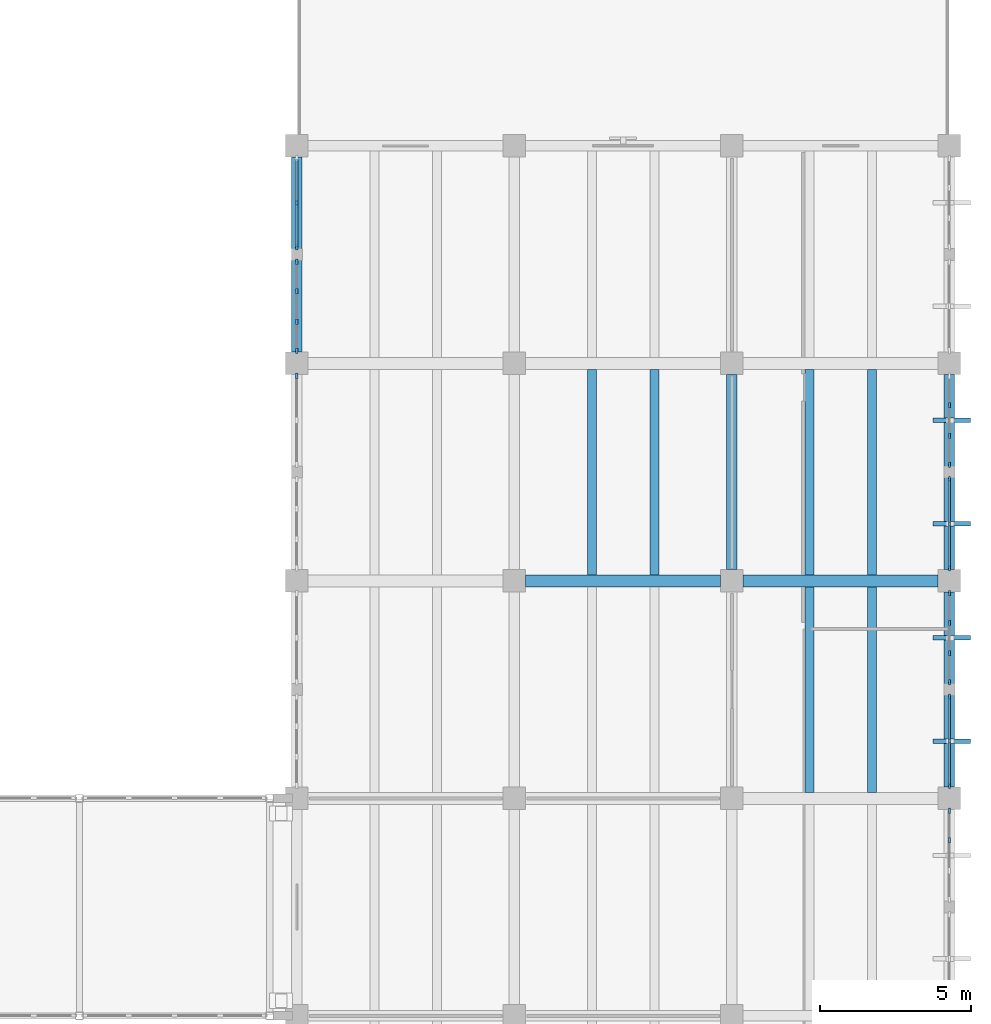
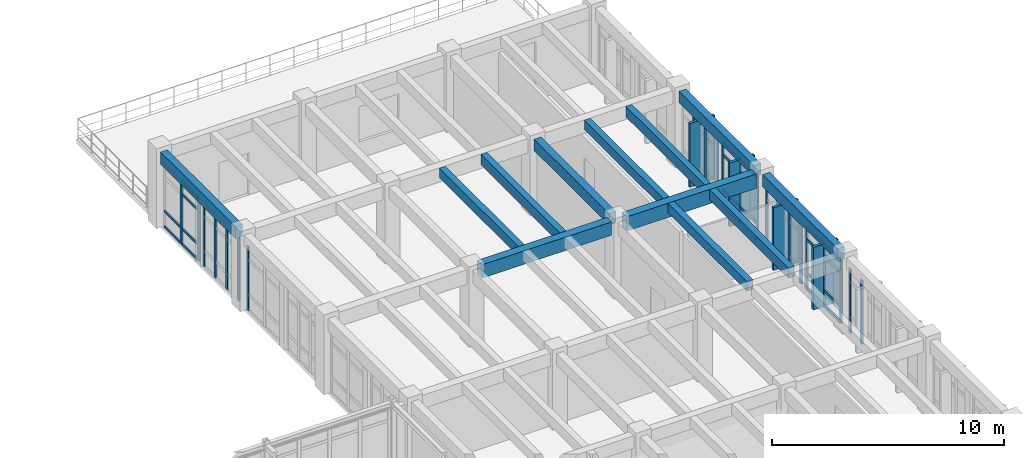
# One storey, part 63 of 136: 48 members, 12 beams, 8 elements without a shape of their own.
"""IFC4 building model written with IfcOpenShell, lengths in metres."""

from ifc_helpers import new_model, si_unit, direction, frame, origin, origin_2d, place, context, subcontext, project, spatial, rectangle, extrude, material, layer, layer_set, material_profile, profile_set, type_object, element, aggregate, save


model = new_model("IFC4")

# Units and contexts
model_context = context("Model", 3, precision=1e-05, world=origin(), true_north=direction((0.0, 1.0)))
body_context = subcontext(model_context, "Body", "Model", "MODEL_VIEW")
ifc_project = project(units=[si_unit("LENGTHUNIT", "METRE"), si_unit("AREAUNIT", "SQUARE_METRE"), si_unit("VOLUMEUNIT", "CUBIC_METRE"), si_unit("PLANEANGLEUNIT", "RADIAN"), si_unit("MASSUNIT", "GRAM", prefix="KILO")], contexts=[model_context])

# Site, building, storey
site_placement = place(None, origin())
site = spatial("IfcSite", under=ifc_project, at=site_placement, CompositionType="ELEMENT")
building_placement = place(site_placement, origin())
building = spatial("IfcBuilding", under=site, at=building_placement, Name="Koriwan Promenade Central Fire Station", CompositionType="ELEMENT")
storey_placement = place(building_placement, frame((0.0, 0.0, 5.39990234375)))
storey = spatial("IfcBuildingStorey", under=building, at=storey_placement, Name="L01", CompositionType="ELEMENT", Elevation=5.39990234375)

# Beams
ifc_material_1 = material(Name="Concrete C35/45", Category="concrete")
ifc_material_profile_1 = material_profile(ifc_material_1, rectangle(XDim=0.300048828125, YDim=0.5, at=origin_2d()), Name="RC-BM-300x500")
ifc_profile_set_1 = profile_set([ifc_material_profile_1], Name="Concrete C35/45")
beam_type_1 = type_object("IfcBeamType", Name="Beam_RC-BM-300x500", PredefinedType="JOIST", material=ifc_profile_set_1)
beam_1_placement = place(storey_placement, frame((168.16796875, 50.60009765625, 3.7001953125), z_axis=(0.0, 1.0, 0.0), x_axis=(-1.0, 0.0, 0.0)))
element("IfcBeam", 1, at=beam_1_placement, inside=storey, type_object=beam_type_1, Name="V5 L01 secondary joist 741", PredefinedType="JOIST", context=body_context, shape_type="SweptSolid", body=[
    extrude(rectangle(XDim=0.300048828125, YDim=0.5, at=origin_2d()), origin(), (0.0, 0.0, 1.0), 6.7998046875),
])
for number, where, z_axis, x_axis, name in (
    (2, (160.968017578125, 57.800048828125, 3.7001953125), (0.0, 1.0, 0.0), (-1.0, 0.0, 0.0), "V5 L01 secondary joist 745"),
    (3, (168.16796875, 57.800048828125, 3.7001953125), (0.0, 1.0, 0.0), (-1.0, 0.0, 0.0), "V5 L01 secondary joist 747"),
):
    element("IfcBeam", number, at=place(storey_placement, frame(where, z_axis=z_axis, x_axis=x_axis)), inside=storey, type_object=beam_type_1, Name=name, PredefinedType="JOIST", context=body_context, shape_type="SweptSolid", body=[
        extrude(rectangle(XDim=0.300048828125, YDim=0.5, at=origin_2d()), origin(), (0.0, 0.0, 1.0), 6.800048828125),
    ])
ifc_material_profile_2 = material_profile(ifc_material_1, rectangle(XDim=0.300048828125, YDim=0.550048828125, at=origin_2d()), Name="RC-BM-300x550")
ifc_profile_set_2 = profile_set([ifc_material_profile_2], Name="Concrete C35/45")
beam_type_2 = type_object("IfcBeamType", Name="Beam_RC-BM-300x550", PredefinedType="JOIST", material=ifc_profile_set_2)
beam_2_placement = place(storey_placement, frame((170.23193359375, 50.60009765625, 3.675048828125), z_axis=(0.0, 1.0, 0.0), x_axis=(-1.0, 0.0, 0.0)))
element("IfcBeam", 4, at=beam_2_placement, inside=storey, type_object=beam_type_2, Name="V5 L01 secondary joist 742", PredefinedType="JOIST", context=body_context, shape_type="SweptSolid", body=[
    extrude(rectangle(XDim=0.300048828125, YDim=0.550048828125, at=origin_2d()), origin(), (0.0, 0.0, 1.0), 6.7998046875),
])
for number, where, z_axis, x_axis, name in (
    (5, (163.031982421875, 57.800048828125, 3.675048828125), (0.0, 1.0, 0.0), (-1.0, 0.0, 0.0), "V5 L01 secondary joist 746"),
    (6, (170.23193359375, 57.800048828125, 3.675048828125), (0.0, 1.0, 0.0), (-1.0, 0.0, 0.0), "V5 L01 secondary joist 748"),
):
    element("IfcBeam", number, at=place(storey_placement, frame(where, z_axis=z_axis, x_axis=x_axis)), inside=storey, type_object=beam_type_2, Name=name, PredefinedType="JOIST", context=body_context, shape_type="SweptSolid", body=[
        extrude(rectangle(XDim=0.300048828125, YDim=0.550048828125, at=origin_2d()), origin(), (0.0, 0.0, 1.0), 6.800048828125),
    ])
ifc_material_profile_3 = material_profile(ifc_material_1, rectangle(XDim=0.35009765625, YDim=0.60009765625, at=origin_2d()), Name="RC-BM-350x600")
ifc_profile_set_3 = profile_set([ifc_material_profile_3], Name="Concrete C35/45")
beam_type_3 = type_object("IfcBeamType", Name="Beam_RC-BM-350x600", PredefinedType="BEAM", material=ifc_profile_set_3)
for number, where, z_axis, x_axis, name in (
    (7, (165.60009765625, 57.97509765625, 3.66015625), (0.0, 1.0, 0.0), (-1.0, 0.0, 0.0), "V5 L01 girder Y-688"),
    (8, (172.800048828125, 57.97509765625, 3.66015625), (0.0, 1.0, 0.0), (-1.0, 0.0, 0.0), "V5 L01 girder Y-698"),
):
    element("IfcBeam", number, at=place(storey_placement, frame(where, z_axis=z_axis, x_axis=x_axis)), inside=storey, type_object=beam_type_3, Name=name, PredefinedType="BEAM", context=body_context, shape_type="SweptSolid", body=[
        extrude(rectangle(XDim=0.35009765625, YDim=0.60009765625, at=origin_2d()), origin(), (0.0, 0.0, 1.0), 6.449951171875),
    ])
ifc_material_profile_4 = material_profile(ifc_material_1, rectangle(XDim=0.35009765625, YDim=0.64990234375, at=origin_2d()), Name="RC-BM-350x650")
ifc_profile_set_4 = profile_set([ifc_material_profile_4], Name="Concrete C35/45")
beam_type_4 = type_object("IfcBeamType", Name="Beam_RC-BM-350x650", PredefinedType="BEAM", material=ifc_profile_set_4)
beam_3_placement = place(storey_placement, frame((151.199951171875, 65.175048828125, 3.635009765625), z_axis=(0.0, 1.0, 0.0), x_axis=(-1.0, 0.0, 0.0)))
element("IfcBeam", 9, at=beam_3_placement, inside=storey, type_object=beam_type_4, Name="V5 L01 girder Y-669", PredefinedType="BEAM", context=body_context, shape_type="SweptSolid", body=[
    extrude(rectangle(XDim=0.35009765625, YDim=0.64990234375, at=origin_2d()), origin(), (0.0, 0.0, 1.0), 6.449951171875),
])
beam_4_placement = place(storey_placement, frame((172.800048828125, 50.77490234375, 3.625), z_axis=(0.0, 1.0, 0.0), x_axis=(-1.0, 0.0, 0.0)))
element("IfcBeam", 10, at=beam_4_placement, inside=storey, type_object=beam_type_4, Name="V5 L01 girder Y-697", PredefinedType="BEAM", context=body_context, shape_type="SweptSolid", body=[
    extrude(rectangle(XDim=0.35009765625, YDim=0.64990234375, at=origin_2d()), origin(), (0.0, 0.0, 1.0), 6.4501953125),
])
ifc_material_profile_5 = material_profile(ifc_material_1, rectangle(XDim=0.39990234375, YDim=0.699951171875, at=origin_2d()), Name="RC-BM-400x700")
ifc_profile_set_5 = profile_set([ifc_material_profile_5], Name="Concrete C35/45")
beam_type_5 = type_object("IfcBeamType", Name="Beam_RC-BM-400x700", PredefinedType="BEAM", material=ifc_profile_set_5)
beam_5_placement = place(storey_placement, frame((158.77490234375, 57.60009765625, 3.60009765625), z_axis=(1.0, 0.0, 0.0), x_axis=(0.0, 1.0, 0.0)))
element("IfcBeam", 11, at=beam_5_placement, inside=storey, type_object=beam_type_5, Name="V5 L01 girder X-650", PredefinedType="BEAM", context=body_context, shape_type="SweptSolid", body=[
    extrude(rectangle(XDim=0.39990234375, YDim=0.699951171875, at=origin_2d()), origin(), (0.0, 0.0, 1.0), 6.4501953125),
])
ifc_material_profile_6 = material_profile(ifc_material_1, rectangle(XDim=0.39990234375, YDim=0.75, at=origin_2d()), Name="RC-BM-400x750")
ifc_profile_set_6 = profile_set([ifc_material_profile_6], Name="Concrete C35/45")
beam_type_6 = type_object("IfcBeamType", Name="Beam_RC-BM-400x750", PredefinedType="BEAM", material=ifc_profile_set_6)
beam_6_placement = place(storey_placement, frame((165.97509765625, 57.60009765625, 3.5751953125), z_axis=(1.0, 0.0, 0.0), x_axis=(0.0, 1.0, 0.0)))
element("IfcBeam", 12, at=beam_6_placement, inside=storey, type_object=beam_type_6, Name="V5 L01 girder X-651", PredefinedType="BEAM", context=body_context, shape_type="SweptSolid", body=[
    extrude(rectangle(XDim=0.39990234375, YDim=0.75, at=origin_2d()), origin(), (0.0, 0.0, 1.0), 6.449951171875),
])

# Curtain wall, member
ifc_material_2 = material(Name="Aluminium EN AW-6063-T6 and low-E glazing", Category="aluminium")
ifc_layer_1 = layer(ifc_material_2, 0.159912109375, Name="Aluminium EN AW-6063-T6 and low-E glazing")
ifc_layer_set_1 = layer_set([ifc_layer_1], Name="Aluminium EN AW-6063-T6 and low-E glazing")
curtain_wall_type_1 = type_object("IfcCurtainWallType", Name="CurtainWall_70_302x335", PredefinedType="USERDEFINED", material=ifc_layer_set_1)
curtain_wall_1_placement = place(storey_placement, origin())
curtain_wall_1 = element("IfcCurtainWall", 13, at=curtain_wall_1_placement, inside=storey, type_object=curtain_wall_type_1, Name="V5 L01 unitised curtain wall 186", ObjectType="UNITISED CURTAIN WALL", PredefinedType="USERDEFINED")
ifc_material_3 = material(Name="Aluminium EN AW-6063-T6", Category="aluminium")
ifc_material_profile_7 = material_profile(ifc_material_3, rectangle(XDim=0.074951171875, YDim=0.179931640625, at=origin_2d()), Name="ALU-MUL-75x180")
ifc_profile_set_7 = profile_set([ifc_material_profile_7], Name="Aluminium EN AW-6063-T6")
member_type_1 = type_object("IfcMemberType", Name="CWMullion_ALU-MUL-75x180", PredefinedType="MULLION", material=ifc_profile_set_7)
member_1_placement = place(storey_placement, frame((151.199951171875, 64.387451171875, 0.0), z_axis=(0.0, 0.0, 1.0), x_axis=(-1.0, 0.0, 0.0)))
member_1 = element("IfcMember", 14, at=member_1_placement, type_object=member_type_1, Name="CW-70 mullion 3", PredefinedType="MULLION", context=body_context, shape_type="SweptSolid", body=[
    extrude(rectangle(XDim=0.074951171875, YDim=0.179931640625, at=origin_2d()), origin(), (0.0, 0.0, 1.0), 3.35009765625),
])
aggregate(curtain_wall_1, [member_1])

# Curtain wall, members
ifc_layer_2 = layer(ifc_material_2, 0.159912109375, Name="Aluminium EN AW-6063-T6 and low-E glazing")
ifc_layer_set_2 = layer_set([ifc_layer_2], Name="Aluminium EN AW-6063-T6 and low-E glazing")
curtain_wall_type_2 = type_object("IfcCurtainWallType", Name="CurtainWall_71_303x330", PredefinedType="USERDEFINED", material=ifc_layer_set_2)
curtain_wall_2_placement = place(storey_placement, origin())
curtain_wall_2 = element("IfcCurtainWall", 15, at=curtain_wall_2_placement, inside=storey, type_object=curtain_wall_type_2, Name="V5 L01 unitised curtain wall 187", ObjectType="UNITISED CURTAIN WALL", PredefinedType="USERDEFINED")
member_2_placement = place(storey_placement, frame((151.199951171875, 65.21240234375, 0.0), z_axis=(0.0, 0.0, 1.0), x_axis=(-1.0, 0.0, 0.0)))
member_2 = element("IfcMember", 16, at=member_2_placement, type_object=member_type_1, Name="CW-71 mullion 1", PredefinedType="MULLION", context=body_context, shape_type="SweptSolid", body=[
    extrude(rectangle(XDim=0.074951171875, YDim=0.179931640625, at=origin_2d()), origin(), (0.0, 0.0, 1.0), 3.300048828125),
])
member_3_placement = place(storey_placement, frame((151.199951171875, 66.183349609375, 0.0), z_axis=(0.0, 0.0, 1.0), x_axis=(-1.0, 0.0, 0.0)))
member_3 = element("IfcMember", 17, at=member_3_placement, type_object=member_type_1, Name="CW-71 mullion 2", PredefinedType="MULLION", context=body_context, shape_type="SweptSolid", body=[
    extrude(rectangle(XDim=0.074951171875, YDim=0.179931640625, at=origin_2d()), origin(), (0.0, 0.0, 1.0), 3.300048828125),
])
member_4_placement = place(storey_placement, frame((151.199951171875, 67.191650390625, 0.0), z_axis=(0.0, 0.0, 1.0), x_axis=(-1.0, 0.0, 0.0)))
member_4 = element("IfcMember", 18, at=member_4_placement, type_object=member_type_1, Name="CW-71 mullion 3", PredefinedType="MULLION", context=body_context, shape_type="SweptSolid", body=[
    extrude(rectangle(XDim=0.074951171875, YDim=0.179931640625, at=origin_2d()), origin(), (0.0, 0.0, 1.0), 3.300048828125),
])
member_5_placement = place(storey_placement, frame((151.199951171875, 68.16259765625, 0.0), z_axis=(0.0, 0.0, 1.0), x_axis=(-1.0, 0.0, 0.0)))
member_5 = element("IfcMember", 19, at=member_5_placement, type_object=member_type_1, Name="CW-71 mullion 4", PredefinedType="MULLION", context=body_context, shape_type="SweptSolid", body=[
    extrude(rectangle(XDim=0.074951171875, YDim=0.179931640625, at=origin_2d()), origin(), (0.0, 0.0, 1.0), 3.300048828125),
])
aggregate(curtain_wall_2, [member_2, member_3, member_4, member_5])

ifc_layer_3 = layer(ifc_material_2, 0.159912109375, Name="Aluminium EN AW-6063-T6 and low-E glazing")
ifc_layer_set_3 = layer_set([ifc_layer_3], Name="Aluminium EN AW-6063-T6 and low-E glazing")
curtain_wall_type_3 = type_object("IfcCurtainWallType", Name="CurtainWall_72_303x330", PredefinedType="USERDEFINED", material=ifc_layer_set_3)
curtain_wall_3_placement = place(storey_placement, origin())
curtain_wall_3 = element("IfcCurtainWall", 20, at=curtain_wall_3_placement, inside=storey, type_object=curtain_wall_type_3, Name="V5 L01 unitised curtain wall 188", ObjectType="UNITISED CURTAIN WALL", PredefinedType="USERDEFINED")
member_6_placement = place(storey_placement, frame((151.199951171875, 68.637451171875, 0.0), z_axis=(0.0, 0.0, 1.0), x_axis=(-1.0, 0.0, 0.0)))
member_6 = element("IfcMember", 21, at=member_6_placement, type_object=member_type_1, Name="CW-72 mullion 1", PredefinedType="MULLION", context=body_context, shape_type="SweptSolid", body=[
    extrude(rectangle(XDim=0.074951171875, YDim=0.179931640625, at=origin_2d()), origin(), (0.0, 0.0, 1.0), 3.300048828125),
])
member_7_placement = place(storey_placement, frame((151.199951171875, 70.112548828125, 0.0), z_axis=(0.0, 0.0, 1.0), x_axis=(-1.0, 0.0, 0.0)))
member_7 = element("IfcMember", 22, at=member_7_placement, type_object=member_type_1, Name="CW-72 mullion 2", PredefinedType="MULLION", context=body_context, shape_type="SweptSolid", body=[
    extrude(rectangle(XDim=0.074951171875, YDim=0.179931640625, at=origin_2d()), origin(), (0.0, 0.0, 1.0), 3.300048828125),
])

ifc_layer_4 = layer(ifc_material_2, 0.159912109375, Name="Aluminium EN AW-6063-T6 and low-E glazing")
ifc_layer_set_4 = layer_set([ifc_layer_4], Name="Aluminium EN AW-6063-T6 and low-E glazing")
curtain_wall_type_4 = type_object("IfcCurtainWallType", Name="CurtainWall_69_302x335", PredefinedType="USERDEFINED", material=ifc_layer_set_4)
curtain_wall_4_placement = place(storey_placement, origin())
curtain_wall_4 = element("IfcCurtainWall", 23, at=curtain_wall_4_placement, inside=storey, type_object=curtain_wall_type_4, Name="V5 L01 unitised curtain wall 191", ObjectType="UNITISED CURTAIN WALL", PredefinedType="USERDEFINED")
member_8_placement = place(storey_placement, frame((172.800048828125, 63.416748046875, 0.0), z_axis=(0.0, 0.0, 1.0), x_axis=(1.0, 0.0, 0.0)))
member_8 = element("IfcMember", 24, at=member_8_placement, type_object=member_type_1, Name="CW-69 mullion 2", PredefinedType="MULLION", context=body_context, shape_type="SweptSolid", body=[
    extrude(rectangle(XDim=0.074951171875, YDim=0.179931640625, at=origin_2d()), origin(), (0.0, 0.0, 1.0), 3.35009765625),
])
member_9_placement = place(storey_placement, frame((172.800048828125, 62.408447265625, 0.0), z_axis=(0.0, 0.0, 1.0), x_axis=(1.0, 0.0, 0.0)))
member_9 = element("IfcMember", 25, at=member_9_placement, type_object=member_type_1, Name="CW-69 mullion 3", PredefinedType="MULLION", context=body_context, shape_type="SweptSolid", body=[
    extrude(rectangle(XDim=0.074951171875, YDim=0.179931640625, at=origin_2d()), origin(), (0.0, 0.0, 1.0), 3.35009765625),
])
member_10_placement = place(storey_placement, frame((172.800048828125, 61.4375, 0.0), z_axis=(0.0, 0.0, 1.0), x_axis=(1.0, 0.0, 0.0)))
member_10 = element("IfcMember", 26, at=member_10_placement, type_object=member_type_1, Name="CW-69 mullion 4", PredefinedType="MULLION", context=body_context, shape_type="SweptSolid", body=[
    extrude(rectangle(XDim=0.074951171875, YDim=0.179931640625, at=origin_2d()), origin(), (0.0, 0.0, 1.0), 3.35009765625),
])
aggregate(curtain_wall_4, [member_8, member_9, member_10])

curtain_wall_5_placement = place(storey_placement, origin())
curtain_wall_5 = element("IfcCurtainWall", 27, at=curtain_wall_5_placement, inside=storey, type_object=curtain_wall_type_1, Name="V5 L01 unitised curtain wall 192", ObjectType="UNITISED CURTAIN WALL", PredefinedType="USERDEFINED")
member_11_placement = place(storey_placement, frame((172.800048828125, 60.96240234375, 0.0), z_axis=(0.0, 0.0, 1.0), x_axis=(1.0, 0.0, 0.0)))
member_11 = element("IfcMember", 28, at=member_11_placement, type_object=member_type_1, Name="CW-70 mullion 1", PredefinedType="MULLION", context=body_context, shape_type="SweptSolid", body=[
    extrude(rectangle(XDim=0.074951171875, YDim=0.179931640625, at=origin_2d()), origin(), (0.0, 0.0, 1.0), 3.35009765625),
])
member_12_placement = place(storey_placement, frame((172.800048828125, 59.487548828125, 0.0), z_axis=(0.0, 0.0, 1.0), x_axis=(1.0, 0.0, 0.0)))
member_12 = element("IfcMember", 29, at=member_12_placement, type_object=member_type_1, Name="CW-70 mullion 2", PredefinedType="MULLION", context=body_context, shape_type="SweptSolid", body=[
    extrude(rectangle(XDim=0.074951171875, YDim=0.179931640625, at=origin_2d()), origin(), (0.0, 0.0, 1.0), 3.35009765625),
])
member_13_placement = place(storey_placement, frame((172.800048828125, 58.012451171875, 0.0), z_axis=(0.0, 0.0, 1.0), x_axis=(1.0, 0.0, 0.0)))
member_13 = element("IfcMember", 30, at=member_13_placement, type_object=member_type_1, Name="CW-70 mullion 3", PredefinedType="MULLION", context=body_context, shape_type="SweptSolid", body=[
    extrude(rectangle(XDim=0.074951171875, YDim=0.179931640625, at=origin_2d()), origin(), (0.0, 0.0, 1.0), 3.35009765625),
])

ifc_layer_5 = layer(ifc_material_2, 0.159912109375, Name="Aluminium EN AW-6063-T6 and low-E glazing")
ifc_layer_set_5 = layer_set([ifc_layer_5], Name="Aluminium EN AW-6063-T6 and low-E glazing")
curtain_wall_type_5 = type_object("IfcCurtainWallType", Name="CurtainWall_62_302x329", PredefinedType="USERDEFINED", material=ifc_layer_set_5)
curtain_wall_6_placement = place(storey_placement, origin())
curtain_wall_6 = element("IfcCurtainWall", 31, at=curtain_wall_6_placement, inside=storey, type_object=curtain_wall_type_5, Name="V5 L01 unitised curtain wall 193", ObjectType="UNITISED CURTAIN WALL", PredefinedType="USERDEFINED")
member_14_placement = place(storey_placement, frame((172.800048828125, 57.1875, 0.0), z_axis=(0.0, 0.0, 1.0), x_axis=(1.0, 0.0, 0.0)))
member_14 = element("IfcMember", 32, at=member_14_placement, type_object=member_type_1, Name="CW-62 mullion 1", PredefinedType="MULLION", context=body_context, shape_type="SweptSolid", body=[
    extrude(rectangle(XDim=0.074951171875, YDim=0.179931640625, at=origin_2d()), origin(), (0.0, 0.0, 1.0), 3.2900390625),
])
member_15_placement = place(storey_placement, frame((172.800048828125, 56.216552734375, 0.0), z_axis=(0.0, 0.0, 1.0), x_axis=(1.0, 0.0, 0.0)))
member_15 = element("IfcMember", 33, at=member_15_placement, type_object=member_type_1, Name="CW-62 mullion 2", PredefinedType="MULLION", context=body_context, shape_type="SweptSolid", body=[
    extrude(rectangle(XDim=0.074951171875, YDim=0.179931640625, at=origin_2d()), origin(), (0.0, 0.0, 1.0), 3.2900390625),
])
member_16_placement = place(storey_placement, frame((172.800048828125, 55.208251953125, 0.0), z_axis=(0.0, 0.0, 1.0), x_axis=(1.0, 0.0, 0.0)))
member_16 = element("IfcMember", 34, at=member_16_placement, type_object=member_type_1, Name="CW-62 mullion 3", PredefinedType="MULLION", context=body_context, shape_type="SweptSolid", body=[
    extrude(rectangle(XDim=0.074951171875, YDim=0.179931640625, at=origin_2d()), origin(), (0.0, 0.0, 1.0), 3.2900390625),
])
member_17_placement = place(storey_placement, frame((172.800048828125, 54.237548828125, 0.0), z_axis=(0.0, 0.0, 1.0), x_axis=(1.0, 0.0, 0.0)))
member_17 = element("IfcMember", 35, at=member_17_placement, type_object=member_type_1, Name="CW-62 mullion 4", PredefinedType="MULLION", context=body_context, shape_type="SweptSolid", body=[
    extrude(rectangle(XDim=0.074951171875, YDim=0.179931640625, at=origin_2d()), origin(), (0.0, 0.0, 1.0), 3.2900390625),
])
aggregate(curtain_wall_6, [member_14, member_15, member_16, member_17])

ifc_layer_6 = layer(ifc_material_2, 0.159912109375, Name="Aluminium EN AW-6063-T6 and low-E glazing")
ifc_layer_set_6 = layer_set([ifc_layer_6], Name="Aluminium EN AW-6063-T6 and low-E glazing")
curtain_wall_type_6 = type_object("IfcCurtainWallType", Name="CurtainWall_07_302x329", PredefinedType="USERDEFINED", material=ifc_layer_set_6)
curtain_wall_7_placement = place(storey_placement, origin())
curtain_wall_7 = element("IfcCurtainWall", 36, at=curtain_wall_7_placement, inside=storey, type_object=curtain_wall_type_6, Name="V5 L01 unitised curtain wall 194", ObjectType="UNITISED CURTAIN WALL", PredefinedType="USERDEFINED")
member_18_placement = place(storey_placement, frame((172.800048828125, 53.762451171875, 0.0), z_axis=(0.0, 0.0, 1.0), x_axis=(1.0, 0.0, 0.0)))
member_18 = element("IfcMember", 37, at=member_18_placement, type_object=member_type_1, Name="CW-07 mullion 1", PredefinedType="MULLION", context=body_context, shape_type="SweptSolid", body=[
    extrude(rectangle(XDim=0.074951171875, YDim=0.179931640625, at=origin_2d()), origin(), (0.0, 0.0, 1.0), 3.2900390625),
])
member_19_placement = place(storey_placement, frame((172.800048828125, 52.28759765625, 0.0), z_axis=(0.0, 0.0, 1.0), x_axis=(1.0, 0.0, 0.0)))
member_19 = element("IfcMember", 38, at=member_19_placement, type_object=member_type_1, Name="CW-07 mullion 2", PredefinedType="MULLION", context=body_context, shape_type="SweptSolid", body=[
    extrude(rectangle(XDim=0.074951171875, YDim=0.179931640625, at=origin_2d()), origin(), (0.0, 0.0, 1.0), 3.2900390625),
])
member_20_placement = place(storey_placement, frame((172.800048828125, 50.8125, 0.0), z_axis=(0.0, 0.0, 1.0), x_axis=(1.0, 0.0, 0.0)))
member_20 = element("IfcMember", 39, at=member_20_placement, type_object=member_type_1, Name="CW-07 mullion 3", PredefinedType="MULLION", context=body_context, shape_type="SweptSolid", body=[
    extrude(rectangle(XDim=0.074951171875, YDim=0.179931640625, at=origin_2d()), origin(), (0.0, 0.0, 1.0), 3.2900390625),
])

ifc_layer_7 = layer(ifc_material_2, 0.159912109375, Name="Aluminium EN AW-6063-T6 and low-E glazing")
ifc_layer_set_7 = layer_set([ifc_layer_7], Name="Aluminium EN AW-6063-T6 and low-E glazing")
curtain_wall_type_7 = type_object("IfcCurtainWallType", Name="CurtainWall_63_302x334", PredefinedType="USERDEFINED", material=ifc_layer_set_7)
curtain_wall_8_placement = place(storey_placement, origin())
curtain_wall_8 = element("IfcCurtainWall", 40, at=curtain_wall_8_placement, inside=storey, type_object=curtain_wall_type_7, Name="V5 L01 unitised curtain wall 195", ObjectType="UNITISED CURTAIN WALL", PredefinedType="USERDEFINED")
member_21_placement = place(storey_placement, frame((172.800048828125, 49.987548828125, 0.0), z_axis=(0.0, 0.0, 1.0), x_axis=(1.0, 0.0, 0.0)))
member_21 = element("IfcMember", 41, at=member_21_placement, type_object=member_type_1, Name="CW-63 mullion 1", PredefinedType="MULLION", context=body_context, shape_type="SweptSolid", body=[
    extrude(rectangle(XDim=0.074951171875, YDim=0.179931640625, at=origin_2d()), origin(), (0.0, 0.0, 1.0), 3.340087890625),
])
member_22_placement = place(storey_placement, frame((172.800048828125, 49.0166015625, 0.0), z_axis=(0.0, 0.0, 1.0), x_axis=(1.0, 0.0, 0.0)))
member_22 = element("IfcMember", 42, at=member_22_placement, type_object=member_type_1, Name="CW-63 mullion 2", PredefinedType="MULLION", context=body_context, shape_type="SweptSolid", body=[
    extrude(rectangle(XDim=0.074951171875, YDim=0.179931640625, at=origin_2d()), origin(), (0.0, 0.0, 1.0), 3.340087890625),
])
aggregate(curtain_wall_8, [member_21, member_22])

# Member
ifc_material_profile_8 = material_profile(ifc_material_3, rectangle(XDim=0.074951171875, YDim=0.139892578125, at=origin_2d()), Name="ALU-TRN-75x140")
ifc_profile_set_8 = profile_set([ifc_material_profile_8], Name="Aluminium EN AW-6063-T6")
member_type_2 = type_object("IfcMemberType", Name="CWTransom_ALU-TRN-75x140", PredefinedType="USERDEFINED", material=ifc_profile_set_8)
member_23_placement = place(storey_placement, frame((151.199951171875, 68.675048828125, 0.03759765625), z_axis=(0.0, 1.0, 0.0), x_axis=(-1.0, 0.0, 0.0)))
member_23 = element("IfcMember", 43, at=member_23_placement, type_object=member_type_2, Name="CW-72 transom 1.1", ObjectType="TRANSOM", PredefinedType="USERDEFINED", context=body_context, shape_type="SweptSolid", body=[
    extrude(rectangle(XDim=0.074951171875, YDim=0.139892578125, at=origin_2d()), origin(), (0.0, 0.0, 1.0), 1.39990234375),
])

member_24_placement = place(storey_placement, frame((151.199951171875, 68.675048828125, 0.85009765625), z_axis=(0.0, 1.0, 0.0), x_axis=(-1.0, 0.0, 0.0)))
member_24 = element("IfcMember", 44, at=member_24_placement, type_object=member_type_2, Name="CW-72 transom 1.2", ObjectType="TRANSOM", PredefinedType="USERDEFINED", context=body_context, shape_type="SweptSolid", body=[
    extrude(rectangle(XDim=0.074951171875, YDim=0.139892578125, at=origin_2d()), origin(), (0.0, 0.0, 1.0), 1.39990234375),
])

member_25_placement = place(storey_placement, frame((151.199951171875, 68.675048828125, 2.650146484375), z_axis=(0.0, 1.0, 0.0), x_axis=(-1.0, 0.0, 0.0)))
member_25 = element("IfcMember", 45, at=member_25_placement, type_object=member_type_2, Name="CW-72 transom 1.3", ObjectType="TRANSOM", PredefinedType="USERDEFINED", context=body_context, shape_type="SweptSolid", body=[
    extrude(rectangle(XDim=0.074951171875, YDim=0.139892578125, at=origin_2d()), origin(), (0.0, 0.0, 1.0), 1.39990234375),
])

member_26_placement = place(storey_placement, frame((151.199951171875, 68.675048828125, 3.2626953125), z_axis=(0.0, 1.0, 0.0), x_axis=(-1.0, 0.0, 0.0)))
member_26 = element("IfcMember", 46, at=member_26_placement, type_object=member_type_2, Name="CW-72 transom 1.4", ObjectType="TRANSOM", PredefinedType="USERDEFINED", context=body_context, shape_type="SweptSolid", body=[
    extrude(rectangle(XDim=0.074951171875, YDim=0.139892578125, at=origin_2d()), origin(), (0.0, 0.0, 1.0), 1.39990234375),
])

member_27_placement = place(storey_placement, frame((151.199951171875, 70.14990234375, 0.03759765625), z_axis=(0.0, 1.0, 0.0), x_axis=(-1.0, 0.0, 0.0)))
member_27 = element("IfcMember", 47, at=member_27_placement, type_object=member_type_2, Name="CW-72 transom 2.1", ObjectType="TRANSOM", PredefinedType="USERDEFINED", context=body_context, shape_type="SweptSolid", body=[
    extrude(rectangle(XDim=0.074951171875, YDim=0.139892578125, at=origin_2d()), origin(), (0.0, 0.0, 1.0), 1.400146484375),
])

member_28_placement = place(storey_placement, frame((151.199951171875, 70.14990234375, 0.85009765625), z_axis=(0.0, 1.0, 0.0), x_axis=(-1.0, 0.0, 0.0)))
member_28 = element("IfcMember", 48, at=member_28_placement, type_object=member_type_2, Name="CW-72 transom 2.2", ObjectType="TRANSOM", PredefinedType="USERDEFINED", context=body_context, shape_type="SweptSolid", body=[
    extrude(rectangle(XDim=0.074951171875, YDim=0.139892578125, at=origin_2d()), origin(), (0.0, 0.0, 1.0), 1.400146484375),
])

aggregate(curtain_wall_3, [member_6, member_7, member_23, member_24, member_25, member_26, member_27, member_28])

member_29_placement = place(storey_placement, frame((172.800048828125, 60.925048828125, 0.03759765625), z_axis=(0.0, -1.0, 0.0), x_axis=(1.0, 0.0, 0.0)))
member_29 = element("IfcMember", 49, at=member_29_placement, type_object=member_type_2, Name="CW-70 transom 1.1", ObjectType="TRANSOM", PredefinedType="USERDEFINED", context=body_context, shape_type="SweptSolid", body=[
    extrude(rectangle(XDim=0.074951171875, YDim=0.139892578125, at=origin_2d()), origin(), (0.0, 0.0, 1.0), 1.400146484375),
])

member_30_placement = place(storey_placement, frame((172.800048828125, 60.925048828125, 0.85009765625), z_axis=(0.0, -1.0, 0.0), x_axis=(1.0, 0.0, 0.0)))
member_30 = element("IfcMember", 50, at=member_30_placement, type_object=member_type_2, Name="CW-70 transom 1.2", ObjectType="TRANSOM", PredefinedType="USERDEFINED", context=body_context, shape_type="SweptSolid", body=[
    extrude(rectangle(XDim=0.074951171875, YDim=0.139892578125, at=origin_2d()), origin(), (0.0, 0.0, 1.0), 1.400146484375),
])

member_31_placement = place(storey_placement, frame((172.800048828125, 60.925048828125, 2.7001953125), z_axis=(0.0, -1.0, 0.0), x_axis=(1.0, 0.0, 0.0)))
member_31 = element("IfcMember", 51, at=member_31_placement, type_object=member_type_2, Name="CW-70 transom 1.3", ObjectType="TRANSOM", PredefinedType="USERDEFINED", context=body_context, shape_type="SweptSolid", body=[
    extrude(rectangle(XDim=0.074951171875, YDim=0.139892578125, at=origin_2d()), origin(), (0.0, 0.0, 1.0), 1.400146484375),
])

member_32_placement = place(storey_placement, frame((172.800048828125, 60.925048828125, 3.3125), z_axis=(0.0, -1.0, 0.0), x_axis=(1.0, 0.0, 0.0)))
member_32 = element("IfcMember", 52, at=member_32_placement, type_object=member_type_2, Name="CW-70 transom 1.4", ObjectType="TRANSOM", PredefinedType="USERDEFINED", context=body_context, shape_type="SweptSolid", body=[
    extrude(rectangle(XDim=0.074951171875, YDim=0.139892578125, at=origin_2d()), origin(), (0.0, 0.0, 1.0), 1.400146484375),
])

member_33_placement = place(storey_placement, frame((172.800048828125, 59.449951171875, 0.03759765625), z_axis=(0.0, -1.0, 0.0), x_axis=(1.0, 0.0, 0.0)))
member_33 = element("IfcMember", 53, at=member_33_placement, type_object=member_type_2, Name="CW-70 transom 2.1", ObjectType="TRANSOM", PredefinedType="USERDEFINED", context=body_context, shape_type="SweptSolid", body=[
    extrude(rectangle(XDim=0.074951171875, YDim=0.139892578125, at=origin_2d()), origin(), (0.0, 0.0, 1.0), 1.39990234375),
])

member_34_placement = place(storey_placement, frame((172.800048828125, 59.449951171875, 0.85009765625), z_axis=(0.0, -1.0, 0.0), x_axis=(1.0, 0.0, 0.0)))
member_34 = element("IfcMember", 54, at=member_34_placement, type_object=member_type_2, Name="CW-70 transom 2.2", ObjectType="TRANSOM", PredefinedType="USERDEFINED", context=body_context, shape_type="SweptSolid", body=[
    extrude(rectangle(XDim=0.074951171875, YDim=0.139892578125, at=origin_2d()), origin(), (0.0, 0.0, 1.0), 1.39990234375),
])

member_35_placement = place(storey_placement, frame((172.800048828125, 59.449951171875, 2.7001953125), z_axis=(0.0, -1.0, 0.0), x_axis=(1.0, 0.0, 0.0)))
member_35 = element("IfcMember", 55, at=member_35_placement, type_object=member_type_2, Name="CW-70 transom 2.3", ObjectType="TRANSOM", PredefinedType="USERDEFINED", context=body_context, shape_type="SweptSolid", body=[
    extrude(rectangle(XDim=0.074951171875, YDim=0.139892578125, at=origin_2d()), origin(), (0.0, 0.0, 1.0), 1.39990234375),
])

member_36_placement = place(storey_placement, frame((172.800048828125, 59.449951171875, 3.3125), z_axis=(0.0, -1.0, 0.0), x_axis=(1.0, 0.0, 0.0)))
member_36 = element("IfcMember", 56, at=member_36_placement, type_object=member_type_2, Name="CW-70 transom 2.4", ObjectType="TRANSOM", PredefinedType="USERDEFINED", context=body_context, shape_type="SweptSolid", body=[
    extrude(rectangle(XDim=0.074951171875, YDim=0.139892578125, at=origin_2d()), origin(), (0.0, 0.0, 1.0), 1.39990234375),
])

aggregate(curtain_wall_5, [member_11, member_12, member_13, member_29, member_30, member_31, member_32, member_33, member_34, member_35, member_36])

member_37_placement = place(storey_placement, frame((172.800048828125, 53.72509765625, 0.03759765625), z_axis=(0.0, -1.0, 0.0), x_axis=(1.0, 0.0, 0.0)))
member_37 = element("IfcMember", 57, at=member_37_placement, type_object=member_type_2, Name="CW-07 transom 1.1", ObjectType="TRANSOM", PredefinedType="USERDEFINED", context=body_context, shape_type="SweptSolid", body=[
    extrude(rectangle(XDim=0.074951171875, YDim=0.139892578125, at=origin_2d()), origin(), (0.0, 0.0, 1.0), 1.400146484375),
])

member_38_placement = place(storey_placement, frame((172.800048828125, 53.72509765625, 0.85009765625), z_axis=(0.0, -1.0, 0.0), x_axis=(1.0, 0.0, 0.0)))
member_38 = element("IfcMember", 58, at=member_38_placement, type_object=member_type_2, Name="CW-07 transom 1.2", ObjectType="TRANSOM", PredefinedType="USERDEFINED", context=body_context, shape_type="SweptSolid", body=[
    extrude(rectangle(XDim=0.074951171875, YDim=0.139892578125, at=origin_2d()), origin(), (0.0, 0.0, 1.0), 1.400146484375),
])

member_39_placement = place(storey_placement, frame((172.800048828125, 53.72509765625, 2.64013671875), z_axis=(0.0, -1.0, 0.0), x_axis=(1.0, 0.0, 0.0)))
member_39 = element("IfcMember", 59, at=member_39_placement, type_object=member_type_2, Name="CW-07 transom 1.3", ObjectType="TRANSOM", PredefinedType="USERDEFINED", context=body_context, shape_type="SweptSolid", body=[
    extrude(rectangle(XDim=0.074951171875, YDim=0.139892578125, at=origin_2d()), origin(), (0.0, 0.0, 1.0), 1.400146484375),
])

member_40_placement = place(storey_placement, frame((172.800048828125, 53.72509765625, 3.252685546875), z_axis=(0.0, -1.0, 0.0), x_axis=(1.0, 0.0, 0.0)))
member_40 = element("IfcMember", 60, at=member_40_placement, type_object=member_type_2, Name="CW-07 transom 1.4", ObjectType="TRANSOM", PredefinedType="USERDEFINED", context=body_context, shape_type="SweptSolid", body=[
    extrude(rectangle(XDim=0.074951171875, YDim=0.139892578125, at=origin_2d()), origin(), (0.0, 0.0, 1.0), 1.400146484375),
])

member_41_placement = place(storey_placement, frame((172.800048828125, 52.25, 0.03759765625), z_axis=(0.0, -1.0, 0.0), x_axis=(1.0, 0.0, 0.0)))
member_41 = element("IfcMember", 61, at=member_41_placement, type_object=member_type_2, Name="CW-07 transom 2.1", ObjectType="TRANSOM", PredefinedType="USERDEFINED", context=body_context, shape_type="SweptSolid", body=[
    extrude(rectangle(XDim=0.074951171875, YDim=0.139892578125, at=origin_2d()), origin(), (0.0, 0.0, 1.0), 1.39990234375),
])

member_42_placement = place(storey_placement, frame((172.800048828125, 52.25, 0.85009765625), z_axis=(0.0, -1.0, 0.0), x_axis=(1.0, 0.0, 0.0)))
member_42 = element("IfcMember", 62, at=member_42_placement, type_object=member_type_2, Name="CW-07 transom 2.2", ObjectType="TRANSOM", PredefinedType="USERDEFINED", context=body_context, shape_type="SweptSolid", body=[
    extrude(rectangle(XDim=0.074951171875, YDim=0.139892578125, at=origin_2d()), origin(), (0.0, 0.0, 1.0), 1.39990234375),
])

member_43_placement = place(storey_placement, frame((172.800048828125, 52.25, 2.64013671875), z_axis=(0.0, -1.0, 0.0), x_axis=(1.0, 0.0, 0.0)))
member_43 = element("IfcMember", 63, at=member_43_placement, type_object=member_type_2, Name="CW-07 transom 2.3", ObjectType="TRANSOM", PredefinedType="USERDEFINED", context=body_context, shape_type="SweptSolid", body=[
    extrude(rectangle(XDim=0.074951171875, YDim=0.139892578125, at=origin_2d()), origin(), (0.0, 0.0, 1.0), 1.39990234375),
])

member_44_placement = place(storey_placement, frame((172.800048828125, 52.25, 3.252685546875), z_axis=(0.0, -1.0, 0.0), x_axis=(1.0, 0.0, 0.0)))
member_44 = element("IfcMember", 64, at=member_44_placement, type_object=member_type_2, Name="CW-07 transom 2.4", ObjectType="TRANSOM", PredefinedType="USERDEFINED", context=body_context, shape_type="SweptSolid", body=[
    extrude(rectangle(XDim=0.074951171875, YDim=0.139892578125, at=origin_2d()), origin(), (0.0, 0.0, 1.0), 1.39990234375),
])

aggregate(curtain_wall_7, [member_18, member_19, member_20, member_37, member_38, member_39, member_40, member_41, member_42, member_43, member_44])

# Members
ifc_material_4 = material(Name="Aluminium EN AW-6063-T6 terracotta finish", Category="masonry")
ifc_material_profile_9 = material_profile(ifc_material_4, rectangle(XDim=0.139892578125, YDim=1.25, at=origin_2d()), Name="FIN-TRC-140x1250")
ifc_profile_set_9 = profile_set([ifc_material_profile_9], Name="Aluminium EN AW-6063-T6 terracotta finish")
member_type_3 = type_object("IfcMemberType", Name="SolarFin_FIN-TRC-140x1250", PredefinedType="USERDEFINED", material=ifc_profile_set_9)
for number, where, z_axis, x_axis, name in (
    (65, (172.875, 62.91259765625, 0.0), (0.0, 0.0, 1.0), (0.0, -1.0, 0.0), "V5 L01 terracotta solar fin 041"),
    (66, (172.875, 59.487548828125, 0.0), (0.0, 0.0, 1.0), (0.0, -1.0, 0.0), "V5 L01 terracotta solar fin 042"),
):
    element("IfcMember", number, at=place(storey_placement, frame(where, z_axis=z_axis, x_axis=x_axis)), inside=storey, type_object=member_type_3, Name=name, ObjectType="SOLAR FIN", PredefinedType="USERDEFINED", context=body_context, shape_type="SweptSolid", body=[
        extrude(rectangle(XDim=0.139892578125, YDim=1.25, at=origin_2d()), origin(), (0.0, 0.0, 1.0), 3.35009765625),
    ])
for number, where, z_axis, x_axis, name in (
    (67, (172.875, 55.71240234375, 0.0), (0.0, 0.0, 1.0), (0.0, -1.0, 0.0), "V5 L01 terracotta solar fin 043"),
    (68, (172.875, 52.28759765625, 0.0), (0.0, 0.0, 1.0), (0.0, -1.0, 0.0), "V5 L01 terracotta solar fin 044"),
):
    element("IfcMember", number, at=place(storey_placement, frame(where, z_axis=z_axis, x_axis=x_axis)), inside=storey, type_object=member_type_3, Name=name, ObjectType="SOLAR FIN", PredefinedType="USERDEFINED", context=body_context, shape_type="SweptSolid", body=[
        extrude(rectangle(XDim=0.139892578125, YDim=1.25, at=origin_2d()), origin(), (0.0, 0.0, 1.0), 3.2900390625),
    ])

save(model, "model.ifc")
